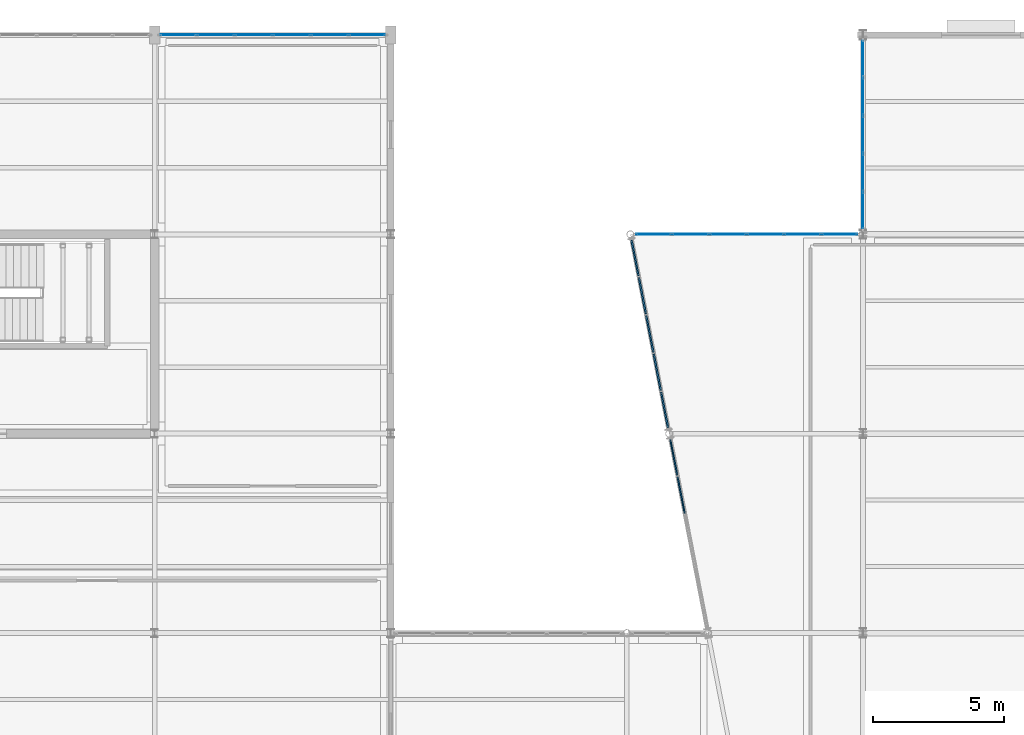
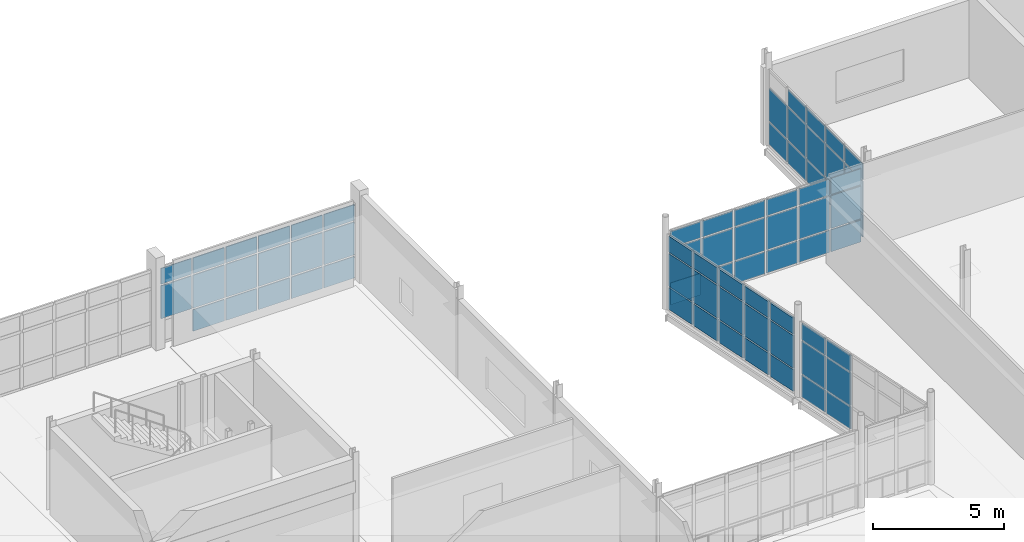
# One storey, part 141 of 174: 70 plates, 5 elements without a shape of their own.
"""IFC4 building model written with IfcOpenShell, lengths in metres."""

from ifc_helpers import new_model, si_unit, direction, frame, origin, origin_2d, place, context, subcontext, project, spatial, rectangle, extrude, material, layer, layer_set, type_object, element, aggregate, save


model = new_model("IFC4")

# Units and contexts
model_context = context("Model", 3, precision=1e-05, world=origin(), true_north=direction((0.0, 1.0)))
body_context = subcontext(model_context, "Body", "Model", "MODEL_VIEW")
ifc_project = project(units=[si_unit("LENGTHUNIT", "METRE"), si_unit("AREAUNIT", "SQUARE_METRE"), si_unit("VOLUMEUNIT", "CUBIC_METRE"), si_unit("PLANEANGLEUNIT", "RADIAN"), si_unit("MASSUNIT", "GRAM", prefix="KILO")], contexts=[model_context])

# Site, building, storey
site_placement = place(None, origin())
site = spatial("IfcSite", under=ifc_project, at=site_placement, CompositionType="ELEMENT")
building_placement = place(site_placement, origin())
building = spatial("IfcBuilding", under=site, at=building_placement, Name="Caisbarro Railhouse Central Library", CompositionType="ELEMENT")
storey_placement = place(building_placement, frame((0.0, 0.0, 5.0400390625)))
storey = spatial("IfcBuildingStorey", under=building, at=storey_placement, Name="L01", CompositionType="ELEMENT", Elevation=5.0400390625)

# Curtain wall, plates
ifc_material_1 = material(Name="Anodised architectural aluminium", Category="aluminium")
curtain_wall_type_1 = type_object("IfcCurtainWallType", Name="CW-CW03", PredefinedType="NOTDEFINED", material=ifc_material_1)
curtain_wall_1_placement = place(storey_placement, origin())
curtain_wall_1 = element("IfcCurtainWall", 1, at=curtain_wall_1_placement, inside=storey, type_object=curtain_wall_type_1, Name="CW03 curtain wall L01 #115", PredefinedType="NOTDEFINED")
ifc_material_2 = material(Name="Double low-e laminated solar-control glass", Category="glass")
ifc_layer_1 = layer(ifc_material_2, 0.0380859375, Name="Double low-e laminated solar-control glass")
ifc_layer_set_1 = layer_set([ifc_layer_1], Name="Double low-e laminated solar-control glass")
plate_type_1 = type_object("IfcPlateType", Name="CWP-CP38", PredefinedType="CURTAIN_PANEL", material=ifc_layer_set_1)
plate_1_placement = place(storey_placement, frame((109.024169921875, 106.39990234375, 0.06494140625), z_axis=(0.0, 0.0, 1.0), x_axis=(1.0, 0.0, 0.0)))
plate_1 = element("IfcPlate", 2, at=plate_1_placement, type_object=plate_type_1, Name="CW03 panel 1.1", PredefinedType="CURTAIN_PANEL", context=body_context, shape_type="SweptSolid", body=[
    extrude(rectangle(XDim=1.326416015625, YDim=0.0380859375, at=origin_2d()), origin(), (0.0, 0.0, 1.0), 1.0224609375),
])
plate_2_placement = place(storey_placement, frame((109.024169921875, 106.39990234375, 1.152587890625), z_axis=(0.0, 0.0, 1.0), x_axis=(1.0, 0.0, 0.0)))
plate_2 = element("IfcPlate", 3, at=plate_2_placement, type_object=plate_type_1, Name="CW03 panel 1.2", PredefinedType="CURTAIN_PANEL", context=body_context, shape_type="SweptSolid", body=[
    extrude(rectangle(XDim=1.326416015625, YDim=0.0380859375, at=origin_2d()), origin(), (0.0, 0.0, 1.0), 1.52490234375),
])
plate_3_placement = place(storey_placement, frame((109.024169921875, 106.39990234375, 2.742431640625), z_axis=(0.0, 0.0, 1.0), x_axis=(1.0, 0.0, 0.0)))
plate_3 = element("IfcPlate", 4, at=plate_3_placement, type_object=plate_type_1, Name="CW03 panel 1.3", PredefinedType="CURTAIN_PANEL", context=body_context, shape_type="SweptSolid", body=[
    extrude(rectangle(XDim=1.326416015625, YDim=0.0380859375, at=origin_2d()), origin(), (0.0, 0.0, 1.0), 0.75244140625),
])
plate_4_placement = place(storey_placement, frame((110.431884765625, 106.39990234375, 0.06494140625), z_axis=(0.0, 0.0, 1.0), x_axis=(1.0, 0.0, 0.0)))
plate_4 = element("IfcPlate", 5, at=plate_4_placement, type_object=plate_type_1, Name="CW03 panel 2.1", PredefinedType="CURTAIN_PANEL", context=body_context, shape_type="SweptSolid", body=[
    extrude(rectangle(XDim=1.35888671875, YDim=0.0380859375, at=origin_2d()), origin(), (0.0, 0.0, 1.0), 1.0224609375),
])
plate_5_placement = place(storey_placement, frame((110.431884765625, 106.39990234375, 1.152587890625), z_axis=(0.0, 0.0, 1.0), x_axis=(1.0, 0.0, 0.0)))
plate_5 = element("IfcPlate", 6, at=plate_5_placement, type_object=plate_type_1, Name="CW03 panel 2.2", PredefinedType="CURTAIN_PANEL", context=body_context, shape_type="SweptSolid", body=[
    extrude(rectangle(XDim=1.35888671875, YDim=0.0380859375, at=origin_2d()), origin(), (0.0, 0.0, 1.0), 1.52490234375),
])
plate_6_placement = place(storey_placement, frame((110.431884765625, 106.39990234375, 2.742431640625), z_axis=(0.0, 0.0, 1.0), x_axis=(1.0, 0.0, 0.0)))
plate_6 = element("IfcPlate", 7, at=plate_6_placement, type_object=plate_type_1, Name="CW03 panel 2.3", PredefinedType="CURTAIN_PANEL", context=body_context, shape_type="SweptSolid", body=[
    extrude(rectangle(XDim=1.35888671875, YDim=0.0380859375, at=origin_2d()), origin(), (0.0, 0.0, 1.0), 0.75244140625),
])
plate_7_placement = place(storey_placement, frame((111.85595703125, 106.39990234375, 0.06494140625), z_axis=(0.0, 0.0, 1.0), x_axis=(1.0, 0.0, 0.0)))
plate_7 = element("IfcPlate", 8, at=plate_7_placement, type_object=plate_type_1, Name="CW03 panel 3.1", PredefinedType="CURTAIN_PANEL", context=body_context, shape_type="SweptSolid", body=[
    extrude(rectangle(XDim=1.35888671875, YDim=0.0380859375, at=origin_2d()), origin(), (0.0, 0.0, 1.0), 1.0224609375),
])
plate_8_placement = place(storey_placement, frame((111.85595703125, 106.39990234375, 1.152587890625), z_axis=(0.0, 0.0, 1.0), x_axis=(1.0, 0.0, 0.0)))
plate_8 = element("IfcPlate", 9, at=plate_8_placement, type_object=plate_type_1, Name="CW03 panel 3.2", PredefinedType="CURTAIN_PANEL", context=body_context, shape_type="SweptSolid", body=[
    extrude(rectangle(XDim=1.35888671875, YDim=0.0380859375, at=origin_2d()), origin(), (0.0, 0.0, 1.0), 1.52490234375),
])
plate_9_placement = place(storey_placement, frame((111.85595703125, 106.39990234375, 2.742431640625), z_axis=(0.0, 0.0, 1.0), x_axis=(1.0, 0.0, 0.0)))
plate_9 = element("IfcPlate", 10, at=plate_9_placement, type_object=plate_type_1, Name="CW03 panel 3.3", PredefinedType="CURTAIN_PANEL", context=body_context, shape_type="SweptSolid", body=[
    extrude(rectangle(XDim=1.35888671875, YDim=0.0380859375, at=origin_2d()), origin(), (0.0, 0.0, 1.0), 0.75244140625),
])
plate_10_placement = place(storey_placement, frame((113.280029296875, 106.39990234375, 0.06494140625), z_axis=(0.0, 0.0, 1.0), x_axis=(1.0, 0.0, 0.0)))
plate_10 = element("IfcPlate", 11, at=plate_10_placement, type_object=plate_type_1, Name="CW03 panel 4.1", PredefinedType="CURTAIN_PANEL", context=body_context, shape_type="SweptSolid", body=[
    extrude(rectangle(XDim=1.35888671875, YDim=0.0380859375, at=origin_2d()), origin(), (0.0, 0.0, 1.0), 1.0224609375),
])
plate_11_placement = place(storey_placement, frame((113.280029296875, 106.39990234375, 1.152587890625), z_axis=(0.0, 0.0, 1.0), x_axis=(1.0, 0.0, 0.0)))
plate_11 = element("IfcPlate", 12, at=plate_11_placement, type_object=plate_type_1, Name="CW03 panel 4.2", PredefinedType="CURTAIN_PANEL", context=body_context, shape_type="SweptSolid", body=[
    extrude(rectangle(XDim=1.35888671875, YDim=0.0380859375, at=origin_2d()), origin(), (0.0, 0.0, 1.0), 1.52490234375),
])
plate_12_placement = place(storey_placement, frame((113.280029296875, 106.39990234375, 2.742431640625), z_axis=(0.0, 0.0, 1.0), x_axis=(1.0, 0.0, 0.0)))
plate_12 = element("IfcPlate", 13, at=plate_12_placement, type_object=plate_type_1, Name="CW03 panel 4.3", PredefinedType="CURTAIN_PANEL", context=body_context, shape_type="SweptSolid", body=[
    extrude(rectangle(XDim=1.35888671875, YDim=0.0380859375, at=origin_2d()), origin(), (0.0, 0.0, 1.0), 0.75244140625),
])
plate_13_placement = place(storey_placement, frame((114.7041015625, 106.39990234375, 0.06494140625), z_axis=(0.0, 0.0, 1.0), x_axis=(1.0, 0.0, 0.0)))
plate_13 = element("IfcPlate", 14, at=plate_13_placement, type_object=plate_type_1, Name="CW03 panel 5.1", PredefinedType="CURTAIN_PANEL", context=body_context, shape_type="SweptSolid", body=[
    extrude(rectangle(XDim=1.35888671875, YDim=0.0380859375, at=origin_2d()), origin(), (0.0, 0.0, 1.0), 1.0224609375),
])
plate_14_placement = place(storey_placement, frame((114.7041015625, 106.39990234375, 1.152587890625), z_axis=(0.0, 0.0, 1.0), x_axis=(1.0, 0.0, 0.0)))
plate_14 = element("IfcPlate", 15, at=plate_14_placement, type_object=plate_type_1, Name="CW03 panel 5.2", PredefinedType="CURTAIN_PANEL", context=body_context, shape_type="SweptSolid", body=[
    extrude(rectangle(XDim=1.35888671875, YDim=0.0380859375, at=origin_2d()), origin(), (0.0, 0.0, 1.0), 1.52490234375),
])
plate_15_placement = place(storey_placement, frame((114.7041015625, 106.39990234375, 2.742431640625), z_axis=(0.0, 0.0, 1.0), x_axis=(1.0, 0.0, 0.0)))
plate_15 = element("IfcPlate", 16, at=plate_15_placement, type_object=plate_type_1, Name="CW03 panel 5.3", PredefinedType="CURTAIN_PANEL", context=body_context, shape_type="SweptSolid", body=[
    extrude(rectangle(XDim=1.35888671875, YDim=0.0380859375, at=origin_2d()), origin(), (0.0, 0.0, 1.0), 0.75244140625),
])
plate_16_placement = place(storey_placement, frame((116.11181640625, 106.39990234375, 0.06494140625), z_axis=(0.0, 0.0, 1.0), x_axis=(1.0, 0.0, 0.0)))
plate_16 = element("IfcPlate", 17, at=plate_16_placement, type_object=plate_type_1, Name="CW03 panel 6.1", PredefinedType="CURTAIN_PANEL", context=body_context, shape_type="SweptSolid", body=[
    extrude(rectangle(XDim=1.326416015625, YDim=0.0380859375, at=origin_2d()), origin(), (0.0, 0.0, 1.0), 1.0224609375),
])
plate_17_placement = place(storey_placement, frame((116.11181640625, 106.39990234375, 1.152587890625), z_axis=(0.0, 0.0, 1.0), x_axis=(1.0, 0.0, 0.0)))
plate_17 = element("IfcPlate", 18, at=plate_17_placement, type_object=plate_type_1, Name="CW03 panel 6.2", PredefinedType="CURTAIN_PANEL", context=body_context, shape_type="SweptSolid", body=[
    extrude(rectangle(XDim=1.326416015625, YDim=0.0380859375, at=origin_2d()), origin(), (0.0, 0.0, 1.0), 1.52490234375),
])
plate_18_placement = place(storey_placement, frame((116.11181640625, 106.39990234375, 2.742431640625), z_axis=(0.0, 0.0, 1.0), x_axis=(1.0, 0.0, 0.0)))
plate_18 = element("IfcPlate", 19, at=plate_18_placement, type_object=plate_type_1, Name="CW03 panel 6.3", PredefinedType="CURTAIN_PANEL", context=body_context, shape_type="SweptSolid", body=[
    extrude(rectangle(XDim=1.326416015625, YDim=0.0380859375, at=origin_2d()), origin(), (0.0, 0.0, 1.0), 0.75244140625),
])
aggregate(curtain_wall_1, [plate_1, plate_2, plate_3, plate_4, plate_5, plate_6, plate_7, plate_8, plate_9, plate_10, plate_11, plate_12, plate_13, plate_14, plate_15, plate_16, plate_17, plate_18])

curtain_wall_2_placement = place(storey_placement, origin())
curtain_wall_2 = element("IfcCurtainWall", 20, at=curtain_wall_2_placement, inside=storey, type_object=curtain_wall_type_1, Name="CW03 curtain wall L01 #116", PredefinedType="NOTDEFINED")
plate_19_placement = place(storey_placement, frame((117.0, 107.30419921875, 0.06494140625), z_axis=(0.0, 0.0, 1.0), x_axis=(0.0, 1.0, 0.0)))
plate_19 = element("IfcPlate", 21, at=plate_19_placement, type_object=plate_type_1, Name="CW03 panel 1.1", PredefinedType="CURTAIN_PANEL", context=body_context, shape_type="SweptSolid", body=[
    extrude(rectangle(XDim=1.3583984375, YDim=0.0380859375, at=origin_2d()), origin(), (0.0, 0.0, 1.0), 1.0224609375),
])
plate_20_placement = place(storey_placement, frame((117.0, 107.30419921875, 1.152587890625), z_axis=(0.0, 0.0, 1.0), x_axis=(0.0, 1.0, 0.0)))
plate_20 = element("IfcPlate", 22, at=plate_20_placement, type_object=plate_type_1, Name="CW03 panel 1.2", PredefinedType="CURTAIN_PANEL", context=body_context, shape_type="SweptSolid", body=[
    extrude(rectangle(XDim=1.3583984375, YDim=0.0380859375, at=origin_2d()), origin(), (0.0, 0.0, 1.0), 1.52490234375),
])
plate_21_placement = place(storey_placement, frame((117.0, 107.30419921875, 2.742431640625), z_axis=(0.0, 0.0, 1.0), x_axis=(0.0, 1.0, 0.0)))
plate_21 = element("IfcPlate", 23, at=plate_21_placement, type_object=plate_type_1, Name="CW03 panel 1.3", PredefinedType="CURTAIN_PANEL", context=body_context, shape_type="SweptSolid", body=[
    extrude(rectangle(XDim=1.3583984375, YDim=0.0380859375, at=origin_2d()), origin(), (0.0, 0.0, 1.0), 0.75244140625),
])
plate_22_placement = place(storey_placement, frame((117.0, 108.743896484375, 0.06494140625), z_axis=(0.0, 0.0, 1.0), x_axis=(0.0, 1.0, 0.0)))
plate_22 = element("IfcPlate", 24, at=plate_22_placement, type_object=plate_type_1, Name="CW03 panel 2.1", PredefinedType="CURTAIN_PANEL", context=body_context, shape_type="SweptSolid", body=[
    extrude(rectangle(XDim=1.39111328125, YDim=0.0380859375, at=origin_2d()), origin(), (0.0, 0.0, 1.0), 1.0224609375),
])
plate_23_placement = place(storey_placement, frame((117.0, 108.743896484375, 1.152587890625), z_axis=(0.0, 0.0, 1.0), x_axis=(0.0, 1.0, 0.0)))
plate_23 = element("IfcPlate", 25, at=plate_23_placement, type_object=plate_type_1, Name="CW03 panel 2.2", PredefinedType="CURTAIN_PANEL", context=body_context, shape_type="SweptSolid", body=[
    extrude(rectangle(XDim=1.39111328125, YDim=0.0380859375, at=origin_2d()), origin(), (0.0, 0.0, 1.0), 1.52490234375),
])
plate_24_placement = place(storey_placement, frame((117.0, 108.743896484375, 2.742431640625), z_axis=(0.0, 0.0, 1.0), x_axis=(0.0, 1.0, 0.0)))
plate_24 = element("IfcPlate", 26, at=plate_24_placement, type_object=plate_type_1, Name="CW03 panel 2.3", PredefinedType="CURTAIN_PANEL", context=body_context, shape_type="SweptSolid", body=[
    extrude(rectangle(XDim=1.39111328125, YDim=0.0380859375, at=origin_2d()), origin(), (0.0, 0.0, 1.0), 0.75244140625),
])
plate_25_placement = place(storey_placement, frame((117.0, 110.199951171875, 0.06494140625), z_axis=(0.0, 0.0, 1.0), x_axis=(0.0, 1.0, 0.0)))
plate_25 = element("IfcPlate", 27, at=plate_25_placement, type_object=plate_type_1, Name="CW03 panel 3.1", PredefinedType="CURTAIN_PANEL", context=body_context, shape_type="SweptSolid", body=[
    extrude(rectangle(XDim=1.39111328125, YDim=0.0380859375, at=origin_2d()), origin(), (0.0, 0.0, 1.0), 1.0224609375),
])
plate_26_placement = place(storey_placement, frame((117.0, 110.199951171875, 1.152587890625), z_axis=(0.0, 0.0, 1.0), x_axis=(0.0, 1.0, 0.0)))
plate_26 = element("IfcPlate", 28, at=plate_26_placement, type_object=plate_type_1, Name="CW03 panel 3.2", PredefinedType="CURTAIN_PANEL", context=body_context, shape_type="SweptSolid", body=[
    extrude(rectangle(XDim=1.39111328125, YDim=0.0380859375, at=origin_2d()), origin(), (0.0, 0.0, 1.0), 1.52490234375),
])
plate_27_placement = place(storey_placement, frame((117.0, 110.199951171875, 2.742431640625), z_axis=(0.0, 0.0, 1.0), x_axis=(0.0, 1.0, 0.0)))
plate_27 = element("IfcPlate", 29, at=plate_27_placement, type_object=plate_type_1, Name="CW03 panel 3.3", PredefinedType="CURTAIN_PANEL", context=body_context, shape_type="SweptSolid", body=[
    extrude(rectangle(XDim=1.39111328125, YDim=0.0380859375, at=origin_2d()), origin(), (0.0, 0.0, 1.0), 0.75244140625),
])
plate_28_placement = place(storey_placement, frame((117.0, 111.656005859375, 0.06494140625), z_axis=(0.0, 0.0, 1.0), x_axis=(0.0, 1.0, 0.0)))
plate_28 = element("IfcPlate", 30, at=plate_28_placement, type_object=plate_type_1, Name="CW03 panel 4.1", PredefinedType="CURTAIN_PANEL", context=body_context, shape_type="SweptSolid", body=[
    extrude(rectangle(XDim=1.39111328125, YDim=0.0380859375, at=origin_2d()), origin(), (0.0, 0.0, 1.0), 1.0224609375),
])
plate_29_placement = place(storey_placement, frame((117.0, 111.656005859375, 1.152587890625), z_axis=(0.0, 0.0, 1.0), x_axis=(0.0, 1.0, 0.0)))
plate_29 = element("IfcPlate", 31, at=plate_29_placement, type_object=plate_type_1, Name="CW03 panel 4.2", PredefinedType="CURTAIN_PANEL", context=body_context, shape_type="SweptSolid", body=[
    extrude(rectangle(XDim=1.39111328125, YDim=0.0380859375, at=origin_2d()), origin(), (0.0, 0.0, 1.0), 1.52490234375),
])
plate_30_placement = place(storey_placement, frame((117.0, 111.656005859375, 2.742431640625), z_axis=(0.0, 0.0, 1.0), x_axis=(0.0, 1.0, 0.0)))
plate_30 = element("IfcPlate", 32, at=plate_30_placement, type_object=plate_type_1, Name="CW03 panel 4.3", PredefinedType="CURTAIN_PANEL", context=body_context, shape_type="SweptSolid", body=[
    extrude(rectangle(XDim=1.39111328125, YDim=0.0380859375, at=origin_2d()), origin(), (0.0, 0.0, 1.0), 0.75244140625),
])
plate_31_placement = place(storey_placement, frame((117.0, 113.095703125, 0.06494140625), z_axis=(0.0, 0.0, 1.0), x_axis=(0.0, 1.0, 0.0)))
plate_31 = element("IfcPlate", 33, at=plate_31_placement, type_object=plate_type_1, Name="CW03 panel 5.1", PredefinedType="CURTAIN_PANEL", context=body_context, shape_type="SweptSolid", body=[
    extrude(rectangle(XDim=1.3583984375, YDim=0.0380859375, at=origin_2d()), origin(), (0.0, 0.0, 1.0), 1.0224609375),
])
plate_32_placement = place(storey_placement, frame((117.0, 113.095703125, 1.152587890625), z_axis=(0.0, 0.0, 1.0), x_axis=(0.0, 1.0, 0.0)))
plate_32 = element("IfcPlate", 34, at=plate_32_placement, type_object=plate_type_1, Name="CW03 panel 5.2", PredefinedType="CURTAIN_PANEL", context=body_context, shape_type="SweptSolid", body=[
    extrude(rectangle(XDim=1.3583984375, YDim=0.0380859375, at=origin_2d()), origin(), (0.0, 0.0, 1.0), 1.52490234375),
])
aggregate(curtain_wall_2, [plate_19, plate_20, plate_21, plate_22, plate_23, plate_24, plate_25, plate_26, plate_27, plate_28, plate_29, plate_30, plate_31, plate_32])

curtain_wall_3_placement = place(storey_placement, origin())
curtain_wall_3 = element("IfcCurtainWall", 35, at=curtain_wall_3_placement, inside=storey, type_object=curtain_wall_type_1, Name="CW03 curtain wall L01 #179", PredefinedType="NOTDEFINED")
plate_33_placement = place(storey_placement, frame((90.899658203125, 114.0, 1.15771484375), z_axis=(0.0, 0.0, 1.0), x_axis=(1.0, 0.0, 0.0)))
plate_33 = element("IfcPlate", 36, at=plate_33_placement, type_object=plate_type_1, Name="CW03 panel 1.2", PredefinedType="CURTAIN_PANEL", context=body_context, shape_type="SweptSolid", body=[
    extrude(rectangle(XDim=1.34912109375, YDim=0.0380859375, at=origin_2d()), origin(), (0.0, 0.0, 1.0), 1.534912109375),
])
plate_34_placement = place(storey_placement, frame((90.899658203125, 114.0, 2.767578125), z_axis=(0.0, 0.0, 1.0), x_axis=(1.0, 0.0, 0.0)))
plate_34 = element("IfcPlate", 37, at=plate_34_placement, type_object=plate_type_1, Name="CW03 panel 1.3", PredefinedType="CURTAIN_PANEL", context=body_context, shape_type="SweptSolid", body=[
    extrude(rectangle(XDim=1.34912109375, YDim=0.0380859375, at=origin_2d()), origin(), (0.0, 0.0, 1.0), 0.737548828125),
])
plate_35_placement = place(storey_placement, frame((92.330078125, 114.0, 0.07470703125), z_axis=(0.0, 0.0, 1.0), x_axis=(1.0, 0.0, 0.0)))
plate_35 = element("IfcPlate", 38, at=plate_35_placement, type_object=plate_type_1, Name="CW03 panel 2.1", PredefinedType="CURTAIN_PANEL", context=body_context, shape_type="SweptSolid", body=[
    extrude(rectangle(XDim=1.381591796875, YDim=0.0380859375, at=origin_2d()), origin(), (0.0, 0.0, 1.0), 1.007568359375),
])
plate_36_placement = place(storey_placement, frame((92.330078125, 114.0, 1.15771484375), z_axis=(0.0, 0.0, 1.0), x_axis=(1.0, 0.0, 0.0)))
plate_36 = element("IfcPlate", 39, at=plate_36_placement, type_object=plate_type_1, Name="CW03 panel 2.2", PredefinedType="CURTAIN_PANEL", context=body_context, shape_type="SweptSolid", body=[
    extrude(rectangle(XDim=1.381591796875, YDim=0.0380859375, at=origin_2d()), origin(), (0.0, 0.0, 1.0), 1.534912109375),
])
plate_37_placement = place(storey_placement, frame((92.330078125, 114.0, 2.767578125), z_axis=(0.0, 0.0, 1.0), x_axis=(1.0, 0.0, 0.0)))
plate_37 = element("IfcPlate", 40, at=plate_37_placement, type_object=plate_type_1, Name="CW03 panel 2.3", PredefinedType="CURTAIN_PANEL", context=body_context, shape_type="SweptSolid", body=[
    extrude(rectangle(XDim=1.381591796875, YDim=0.0380859375, at=origin_2d()), origin(), (0.0, 0.0, 1.0), 0.737548828125),
])
plate_38_placement = place(storey_placement, frame((93.776611328125, 114.0, 0.07470703125), z_axis=(0.0, 0.0, 1.0), x_axis=(1.0, 0.0, 0.0)))
plate_38 = element("IfcPlate", 41, at=plate_38_placement, type_object=plate_type_1, Name="CW03 panel 3.1", PredefinedType="CURTAIN_PANEL", context=body_context, shape_type="SweptSolid", body=[
    extrude(rectangle(XDim=1.381591796875, YDim=0.0380859375, at=origin_2d()), origin(), (0.0, 0.0, 1.0), 1.007568359375),
])
plate_39_placement = place(storey_placement, frame((93.776611328125, 114.0, 1.15771484375), z_axis=(0.0, 0.0, 1.0), x_axis=(1.0, 0.0, 0.0)))
plate_39 = element("IfcPlate", 42, at=plate_39_placement, type_object=plate_type_1, Name="CW03 panel 3.2", PredefinedType="CURTAIN_PANEL", context=body_context, shape_type="SweptSolid", body=[
    extrude(rectangle(XDim=1.381591796875, YDim=0.0380859375, at=origin_2d()), origin(), (0.0, 0.0, 1.0), 1.534912109375),
])
plate_40_placement = place(storey_placement, frame((93.776611328125, 114.0, 2.767578125), z_axis=(0.0, 0.0, 1.0), x_axis=(1.0, 0.0, 0.0)))
plate_40 = element("IfcPlate", 43, at=plate_40_placement, type_object=plate_type_1, Name="CW03 panel 3.3", PredefinedType="CURTAIN_PANEL", context=body_context, shape_type="SweptSolid", body=[
    extrude(rectangle(XDim=1.381591796875, YDim=0.0380859375, at=origin_2d()), origin(), (0.0, 0.0, 1.0), 0.737548828125),
])
plate_41_placement = place(storey_placement, frame((95.223388671875, 114.0, 0.07470703125), z_axis=(0.0, 0.0, 1.0), x_axis=(1.0, 0.0, 0.0)))
plate_41 = element("IfcPlate", 44, at=plate_41_placement, type_object=plate_type_1, Name="CW03 panel 4.1", PredefinedType="CURTAIN_PANEL", context=body_context, shape_type="SweptSolid", body=[
    extrude(rectangle(XDim=1.381591796875, YDim=0.0380859375, at=origin_2d()), origin(), (0.0, 0.0, 1.0), 1.007568359375),
])
plate_42_placement = place(storey_placement, frame((95.223388671875, 114.0, 1.15771484375), z_axis=(0.0, 0.0, 1.0), x_axis=(1.0, 0.0, 0.0)))
plate_42 = element("IfcPlate", 45, at=plate_42_placement, type_object=plate_type_1, Name="CW03 panel 4.2", PredefinedType="CURTAIN_PANEL", context=body_context, shape_type="SweptSolid", body=[
    extrude(rectangle(XDim=1.381591796875, YDim=0.0380859375, at=origin_2d()), origin(), (0.0, 0.0, 1.0), 1.534912109375),
])
plate_43_placement = place(storey_placement, frame((95.223388671875, 114.0, 2.767578125), z_axis=(0.0, 0.0, 1.0), x_axis=(1.0, 0.0, 0.0)))
plate_43 = element("IfcPlate", 46, at=plate_43_placement, type_object=plate_type_1, Name="CW03 panel 4.3", PredefinedType="CURTAIN_PANEL", context=body_context, shape_type="SweptSolid", body=[
    extrude(rectangle(XDim=1.381591796875, YDim=0.0380859375, at=origin_2d()), origin(), (0.0, 0.0, 1.0), 0.737548828125),
])
plate_44_placement = place(storey_placement, frame((96.669921875, 114.0, 0.07470703125), z_axis=(0.0, 0.0, 1.0), x_axis=(1.0, 0.0, 0.0)))
plate_44 = element("IfcPlate", 47, at=plate_44_placement, type_object=plate_type_1, Name="CW03 panel 5.1", PredefinedType="CURTAIN_PANEL", context=body_context, shape_type="SweptSolid", body=[
    extrude(rectangle(XDim=1.381591796875, YDim=0.0380859375, at=origin_2d()), origin(), (0.0, 0.0, 1.0), 1.007568359375),
])
plate_45_placement = place(storey_placement, frame((96.669921875, 114.0, 1.15771484375), z_axis=(0.0, 0.0, 1.0), x_axis=(1.0, 0.0, 0.0)))
plate_45 = element("IfcPlate", 48, at=plate_45_placement, type_object=plate_type_1, Name="CW03 panel 5.2", PredefinedType="CURTAIN_PANEL", context=body_context, shape_type="SweptSolid", body=[
    extrude(rectangle(XDim=1.381591796875, YDim=0.0380859375, at=origin_2d()), origin(), (0.0, 0.0, 1.0), 1.534912109375),
])
plate_46_placement = place(storey_placement, frame((96.669921875, 114.0, 2.767578125), z_axis=(0.0, 0.0, 1.0), x_axis=(1.0, 0.0, 0.0)))
plate_46 = element("IfcPlate", 49, at=plate_46_placement, type_object=plate_type_1, Name="CW03 panel 5.3", PredefinedType="CURTAIN_PANEL", context=body_context, shape_type="SweptSolid", body=[
    extrude(rectangle(XDim=1.381591796875, YDim=0.0380859375, at=origin_2d()), origin(), (0.0, 0.0, 1.0), 0.737548828125),
])
plate_47_placement = place(storey_placement, frame((98.100341796875, 114.0, 0.07470703125), z_axis=(0.0, 0.0, 1.0), x_axis=(1.0, 0.0, 0.0)))
plate_47 = element("IfcPlate", 50, at=plate_47_placement, type_object=plate_type_1, Name="CW03 panel 6.1", PredefinedType="CURTAIN_PANEL", context=body_context, shape_type="SweptSolid", body=[
    extrude(rectangle(XDim=1.34912109375, YDim=0.0380859375, at=origin_2d()), origin(), (0.0, 0.0, 1.0), 1.007568359375),
])
plate_48_placement = place(storey_placement, frame((98.100341796875, 114.0, 1.15771484375), z_axis=(0.0, 0.0, 1.0), x_axis=(1.0, 0.0, 0.0)))
plate_48 = element("IfcPlate", 51, at=plate_48_placement, type_object=plate_type_1, Name="CW03 panel 6.2", PredefinedType="CURTAIN_PANEL", context=body_context, shape_type="SweptSolid", body=[
    extrude(rectangle(XDim=1.34912109375, YDim=0.0380859375, at=origin_2d()), origin(), (0.0, 0.0, 1.0), 1.534912109375),
])
plate_49_placement = place(storey_placement, frame((98.100341796875, 114.0, 2.767578125), z_axis=(0.0, 0.0, 1.0), x_axis=(1.0, 0.0, 0.0)))
plate_49 = element("IfcPlate", 52, at=plate_49_placement, type_object=plate_type_1, Name="CW03 panel 6.3", PredefinedType="CURTAIN_PANEL", context=body_context, shape_type="SweptSolid", body=[
    extrude(rectangle(XDim=1.34912109375, YDim=0.0380859375, at=origin_2d()), origin(), (0.0, 0.0, 1.0), 0.737548828125),
])
aggregate(curtain_wall_3, [plate_33, plate_34, plate_35, plate_36, plate_37, plate_38, plate_39, plate_40, plate_41, plate_42, plate_43, plate_44, plate_45, plate_46, plate_47, plate_48, plate_49])

curtain_wall_type_2 = type_object("IfcCurtainWallType", Name="CW-CW02", PredefinedType="NOTDEFINED", material=ifc_material_1)
curtain_wall_4_placement = place(storey_placement, origin())
curtain_wall_4 = element("IfcCurtainWall", 53, at=curtain_wall_4_placement, inside=storey, type_object=curtain_wall_type_2, Name="CW02 curtain wall L01 #113", PredefinedType="NOTDEFINED")
ifc_layer_2 = layer(ifc_material_2, 0.05810546875, Name="Double low-e laminated solar-control glass")
ifc_layer_set_2 = layer_set([ifc_layer_2], Name="Double low-e laminated solar-control glass")
plate_type_2 = type_object("IfcPlateType", Name="CWP-CP58", PredefinedType="CURTAIN_PANEL", material=ifc_layer_set_2)
plate_50_placement = place(storey_placement, frame((110.0693359375, 96.457275390625, 0.06494140625), z_axis=(0.0, 0.0, 1.0), x_axis=(-0.190780945369, 0.981632635401, 0.0)))
plate_50 = element("IfcPlate", 54, at=plate_50_placement, type_object=plate_type_2, Name="CW02 panel 4.1", PredefinedType="CURTAIN_PANEL", context=body_context, shape_type="SweptSolid", body=[
    extrude(rectangle(XDim=1.409423828125, YDim=0.05810546875, at=origin_2d()), origin(), (0.0, 0.0, 1.0), 1.0224609375),
])
plate_51_placement = place(storey_placement, frame((110.0693359375, 96.457275390625, 1.152587890625), z_axis=(0.0, 0.0, 1.0), x_axis=(-0.190780945369, 0.981632635401, 0.0)))
plate_51 = element("IfcPlate", 55, at=plate_51_placement, type_object=plate_type_2, Name="CW02 panel 4.2", PredefinedType="CURTAIN_PANEL", context=body_context, shape_type="SweptSolid", body=[
    extrude(rectangle(XDim=1.409423828125, YDim=0.05810546875, at=origin_2d()), origin(), (0.0, 0.0, 1.0), 1.52490234375),
])
plate_52_placement = place(storey_placement, frame((110.0693359375, 96.457275390625, 2.742431640625), z_axis=(0.0, 0.0, 1.0), x_axis=(-0.190780945369, 0.981632635401, 0.0)))
plate_52 = element("IfcPlate", 56, at=plate_52_placement, type_object=plate_type_2, Name="CW02 panel 4.3", PredefinedType="CURTAIN_PANEL", context=body_context, shape_type="SweptSolid", body=[
    extrude(rectangle(XDim=1.409423828125, YDim=0.05810546875, at=origin_2d()), origin(), (0.0, 0.0, 1.0), 0.75244140625),
])
plate_53_placement = place(storey_placement, frame((109.789794921875, 97.89599609375, 0.06494140625), z_axis=(0.0, 0.0, 1.0), x_axis=(-0.190780945369, 0.981632635401, 0.0)))
plate_53 = element("IfcPlate", 57, at=plate_53_placement, type_object=plate_type_2, Name="CW02 panel 5.1", PredefinedType="CURTAIN_PANEL", context=body_context, shape_type="SweptSolid", body=[
    extrude(rectangle(XDim=1.371826171875, YDim=0.05810546875, at=origin_2d()), origin(), (0.0, 0.0, 1.0), 1.0224609375),
])
plate_54_placement = place(storey_placement, frame((109.789794921875, 97.89599609375, 1.152587890625), z_axis=(0.0, 0.0, 1.0), x_axis=(-0.190780945369, 0.981632635401, 0.0)))
plate_54 = element("IfcPlate", 58, at=plate_54_placement, type_object=plate_type_2, Name="CW02 panel 5.2", PredefinedType="CURTAIN_PANEL", context=body_context, shape_type="SweptSolid", body=[
    extrude(rectangle(XDim=1.371826171875, YDim=0.05810546875, at=origin_2d()), origin(), (0.0, 0.0, 1.0), 1.52490234375),
])
plate_55_placement = place(storey_placement, frame((109.789794921875, 97.89599609375, 2.742431640625), z_axis=(0.0, 0.0, 1.0), x_axis=(-0.190780945369, 0.981632635401, 0.0)))
plate_55 = element("IfcPlate", 59, at=plate_55_placement, type_object=plate_type_2, Name="CW02 panel 5.3", PredefinedType="CURTAIN_PANEL", context=body_context, shape_type="SweptSolid", body=[
    extrude(rectangle(XDim=1.371826171875, YDim=0.05810546875, at=origin_2d()), origin(), (0.0, 0.0, 1.0), 0.75244140625),
])
aggregate(curtain_wall_4, [plate_50, plate_51, plate_52, plate_53, plate_54, plate_55])

curtain_wall_5_placement = place(storey_placement, origin())
curtain_wall_5 = element("IfcCurtainWall", 60, at=curtain_wall_5_placement, inside=storey, type_object=curtain_wall_type_2, Name="CW02 curtain wall L01 #114", PredefinedType="NOTDEFINED")
ifc_layer_3 = layer(ifc_material_2, 0.068115234375, Name="Double low-e laminated solar-control glass")
ifc_layer_set_3 = layer_set([ifc_layer_3], Name="Double low-e laminated solar-control glass")
plate_type_3 = type_object("IfcPlateType", Name="CWP-CP68", PredefinedType="CURTAIN_PANEL", material=ifc_layer_set_3)
plate_56_placement = place(storey_placement, frame((109.438232421875, 99.7041015625, 0.06494140625), z_axis=(0.0, 0.0, 1.0), x_axis=(-0.190910768765, 0.98160739523, 0.0)))
plate_56 = element("IfcPlate", 61, at=plate_56_placement, type_object=plate_type_3, Name="CW02 panel 1.1", PredefinedType="CURTAIN_PANEL", context=body_context, shape_type="SweptSolid", body=[
    extrude(rectangle(XDim=1.3720703125, YDim=0.068115234375, at=origin_2d()), origin(), (0.0, 0.0, 1.0), 1.0224609375),
])
plate_57_placement = place(storey_placement, frame((109.438232421875, 99.7041015625, 1.152587890625), z_axis=(0.0, 0.0, 1.0), x_axis=(-0.190910768765, 0.98160739523, 0.0)))
plate_57 = element("IfcPlate", 62, at=plate_57_placement, type_object=plate_type_3, Name="CW02 panel 1.2", PredefinedType="CURTAIN_PANEL", context=body_context, shape_type="SweptSolid", body=[
    extrude(rectangle(XDim=1.3720703125, YDim=0.068115234375, at=origin_2d()), origin(), (0.0, 0.0, 1.0), 1.52490234375),
])
plate_58_placement = place(storey_placement, frame((109.438232421875, 99.7041015625, 2.742431640625), z_axis=(0.0, 0.0, 1.0), x_axis=(-0.190910768765, 0.98160739523, 0.0)))
plate_58 = element("IfcPlate", 63, at=plate_58_placement, type_object=plate_type_3, Name="CW02 panel 1.3", PredefinedType="CURTAIN_PANEL", context=body_context, shape_type="SweptSolid", body=[
    extrude(rectangle(XDim=1.3720703125, YDim=0.068115234375, at=origin_2d()), origin(), (0.0, 0.0, 1.0), 0.75244140625),
])
plate_59_placement = place(storey_placement, frame((109.158447265625, 101.142822265625, 0.06494140625), z_axis=(0.0, 0.0, 1.0), x_axis=(-0.190910768765, 0.98160739523, 0.0)))
plate_59 = element("IfcPlate", 64, at=plate_59_placement, type_object=plate_type_3, Name="CW02 panel 2.1", PredefinedType="CURTAIN_PANEL", context=body_context, shape_type="SweptSolid", body=[
    extrude(rectangle(XDim=1.409423828125, YDim=0.068115234375, at=origin_2d()), origin(), (0.0, 0.0, 1.0), 1.0224609375),
])
plate_60_placement = place(storey_placement, frame((109.158447265625, 101.142822265625, 1.152587890625), z_axis=(0.0, 0.0, 1.0), x_axis=(-0.190910768765, 0.98160739523, 0.0)))
plate_60 = element("IfcPlate", 65, at=plate_60_placement, type_object=plate_type_3, Name="CW02 panel 2.2", PredefinedType="CURTAIN_PANEL", context=body_context, shape_type="SweptSolid", body=[
    extrude(rectangle(XDim=1.409423828125, YDim=0.068115234375, at=origin_2d()), origin(), (0.0, 0.0, 1.0), 1.52490234375),
])
plate_61_placement = place(storey_placement, frame((109.158447265625, 101.142822265625, 2.742431640625), z_axis=(0.0, 0.0, 1.0), x_axis=(-0.190910768765, 0.98160739523, 0.0)))
plate_61 = element("IfcPlate", 66, at=plate_61_placement, type_object=plate_type_3, Name="CW02 panel 2.3", PredefinedType="CURTAIN_PANEL", context=body_context, shape_type="SweptSolid", body=[
    extrude(rectangle(XDim=1.409423828125, YDim=0.068115234375, at=origin_2d()), origin(), (0.0, 0.0, 1.0), 0.75244140625),
])
plate_62_placement = place(storey_placement, frame((108.875, 102.60009765625, 0.06494140625), z_axis=(0.0, 0.0, 1.0), x_axis=(-0.190910768765, 0.98160739523, 0.0)))
plate_62 = element("IfcPlate", 67, at=plate_62_placement, type_object=plate_type_3, Name="CW02 panel 3.1", PredefinedType="CURTAIN_PANEL", context=body_context, shape_type="SweptSolid", body=[
    extrude(rectangle(XDim=1.409423828125, YDim=0.068115234375, at=origin_2d()), origin(), (0.0, 0.0, 1.0), 1.0224609375),
])
plate_63_placement = place(storey_placement, frame((108.875, 102.60009765625, 1.152587890625), z_axis=(0.0, 0.0, 1.0), x_axis=(-0.190910768765, 0.98160739523, 0.0)))
plate_63 = element("IfcPlate", 68, at=plate_63_placement, type_object=plate_type_3, Name="CW02 panel 3.2", PredefinedType="CURTAIN_PANEL", context=body_context, shape_type="SweptSolid", body=[
    extrude(rectangle(XDim=1.409423828125, YDim=0.068115234375, at=origin_2d()), origin(), (0.0, 0.0, 1.0), 1.52490234375),
])
plate_64_placement = place(storey_placement, frame((108.875, 102.60009765625, 2.742431640625), z_axis=(0.0, 0.0, 1.0), x_axis=(-0.190910768765, 0.98160739523, 0.0)))
plate_64 = element("IfcPlate", 69, at=plate_64_placement, type_object=plate_type_3, Name="CW02 panel 3.3", PredefinedType="CURTAIN_PANEL", context=body_context, shape_type="SweptSolid", body=[
    extrude(rectangle(XDim=1.409423828125, YDim=0.068115234375, at=origin_2d()), origin(), (0.0, 0.0, 1.0), 0.75244140625),
])
plate_65_placement = place(storey_placement, frame((108.591552734375, 104.05712890625, 0.06494140625), z_axis=(0.0, 0.0, 1.0), x_axis=(-0.190910768765, 0.98160739523, 0.0)))
plate_65 = element("IfcPlate", 70, at=plate_65_placement, type_object=plate_type_3, Name="CW02 panel 4.1", PredefinedType="CURTAIN_PANEL", context=body_context, shape_type="SweptSolid", body=[
    extrude(rectangle(XDim=1.409423828125, YDim=0.068115234375, at=origin_2d()), origin(), (0.0, 0.0, 1.0), 1.0224609375),
])
plate_66_placement = place(storey_placement, frame((108.591552734375, 104.05712890625, 1.152587890625), z_axis=(0.0, 0.0, 1.0), x_axis=(-0.190910768765, 0.98160739523, 0.0)))
plate_66 = element("IfcPlate", 71, at=plate_66_placement, type_object=plate_type_3, Name="CW02 panel 4.2", PredefinedType="CURTAIN_PANEL", context=body_context, shape_type="SweptSolid", body=[
    extrude(rectangle(XDim=1.409423828125, YDim=0.068115234375, at=origin_2d()), origin(), (0.0, 0.0, 1.0), 1.52490234375),
])
plate_67_placement = place(storey_placement, frame((108.591552734375, 104.05712890625, 2.742431640625), z_axis=(0.0, 0.0, 1.0), x_axis=(-0.190910768765, 0.98160739523, 0.0)))
plate_67 = element("IfcPlate", 72, at=plate_67_placement, type_object=plate_type_3, Name="CW02 panel 4.3", PredefinedType="CURTAIN_PANEL", context=body_context, shape_type="SweptSolid", body=[
    extrude(rectangle(XDim=1.409423828125, YDim=0.068115234375, at=origin_2d()), origin(), (0.0, 0.0, 1.0), 0.75244140625),
])
plate_68_placement = place(storey_placement, frame((108.311767578125, 105.495849609375, 0.06494140625), z_axis=(0.0, 0.0, 1.0), x_axis=(-0.190910768765, 0.98160739523, 0.0)))
plate_68 = element("IfcPlate", 73, at=plate_68_placement, type_object=plate_type_3, Name="CW02 panel 5.1", PredefinedType="CURTAIN_PANEL", context=body_context, shape_type="SweptSolid", body=[
    extrude(rectangle(XDim=1.3720703125, YDim=0.068115234375, at=origin_2d()), origin(), (0.0, 0.0, 1.0), 1.0224609375),
])
plate_69_placement = place(storey_placement, frame((108.311767578125, 105.495849609375, 1.152587890625), z_axis=(0.0, 0.0, 1.0), x_axis=(-0.190910768765, 0.98160739523, 0.0)))
plate_69 = element("IfcPlate", 74, at=plate_69_placement, type_object=plate_type_3, Name="CW02 panel 5.2", PredefinedType="CURTAIN_PANEL", context=body_context, shape_type="SweptSolid", body=[
    extrude(rectangle(XDim=1.3720703125, YDim=0.068115234375, at=origin_2d()), origin(), (0.0, 0.0, 1.0), 1.52490234375),
])
plate_70_placement = place(storey_placement, frame((108.311767578125, 105.495849609375, 2.742431640625), z_axis=(0.0, 0.0, 1.0), x_axis=(-0.190910768765, 0.98160739523, 0.0)))
plate_70 = element("IfcPlate", 75, at=plate_70_placement, type_object=plate_type_3, Name="CW02 panel 5.3", PredefinedType="CURTAIN_PANEL", context=body_context, shape_type="SweptSolid", body=[
    extrude(rectangle(XDim=1.3720703125, YDim=0.068115234375, at=origin_2d()), origin(), (0.0, 0.0, 1.0), 0.75244140625),
])
aggregate(curtain_wall_5, [plate_56, plate_57, plate_58, plate_59, plate_60, plate_61, plate_62, plate_63, plate_64, plate_65, plate_66, plate_67, plate_68, plate_69, plate_70])

save(model, "model.ifc")
